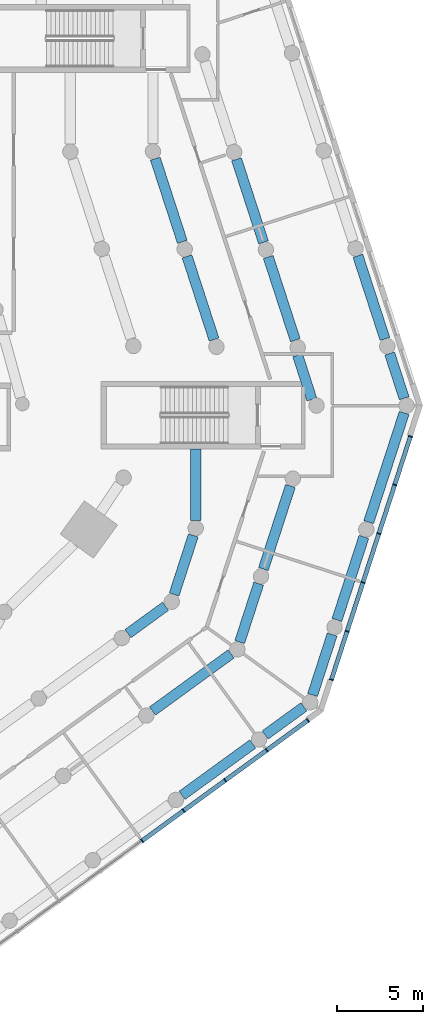
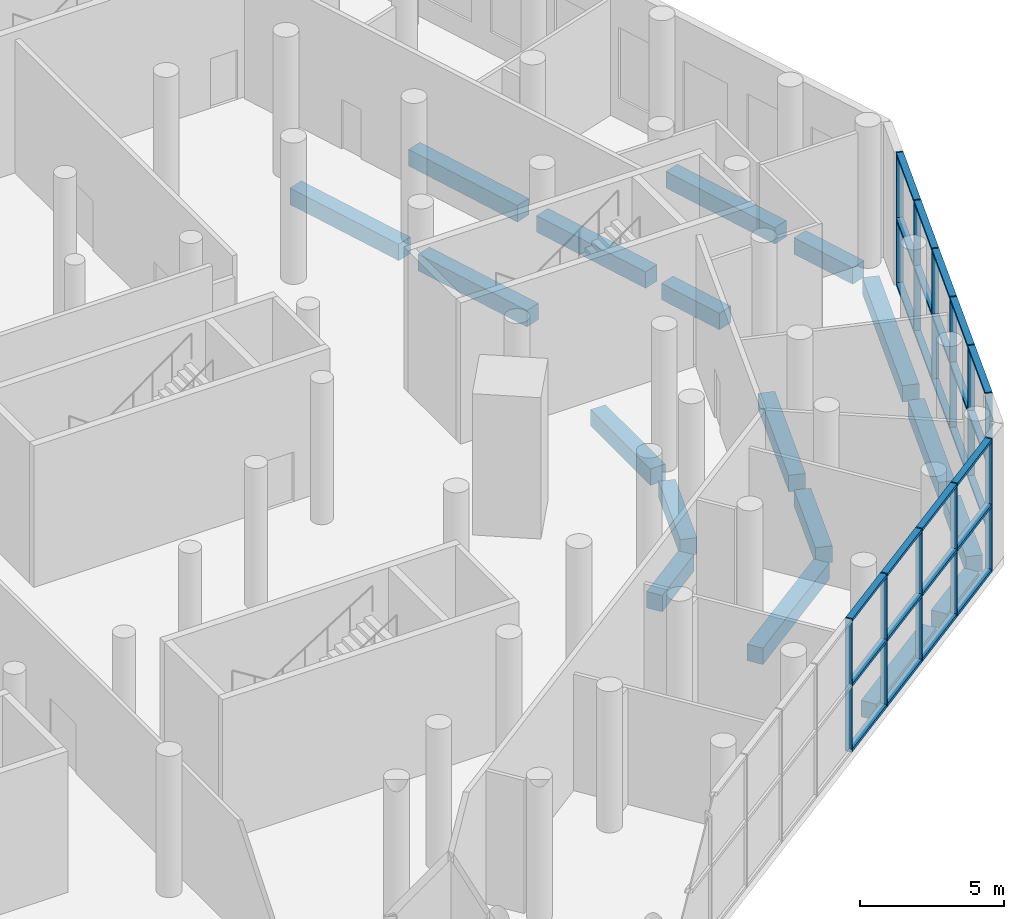
# One storey, part 8 of 23: 38 members, 18 beams, 2 elements without a shape of their own.
"""IFC4 building model written with IfcOpenShell, lengths in metres."""

from ifc_helpers import new_model, si_unit, direction, frame, origin, origin_2d, place, context, subcontext, project, spatial, rectangle, extrude, material, material_profile, profile_set, type_object, element, aggregate, save


model = new_model("IFC4")

# Units and contexts
model_context = context("Model", 3, precision=1e-05, world=origin(), true_north=direction((0.0, 1.0)))
body_context = subcontext(model_context, "Body", "Model", "MODEL_VIEW")
ifc_project = project(units=[si_unit("LENGTHUNIT", "METRE"), si_unit("AREAUNIT", "SQUARE_METRE"), si_unit("VOLUMEUNIT", "CUBIC_METRE"), si_unit("PLANEANGLEUNIT", "RADIAN"), si_unit("MASSUNIT", "GRAM", prefix="KILO")], contexts=[model_context])

# Site, building, storey
site_placement = place(None, origin())
site = spatial("IfcSite", under=ifc_project, at=site_placement, CompositionType="ELEMENT")
building_placement = place(site_placement, origin())
building = spatial("IfcBuilding", under=site, at=building_placement, Name="White Candle Pilgrim Tower", CompositionType="ELEMENT")
storey_placement = place(building_placement, frame((0.0, 0.0, 9.0)))
storey = spatial("IfcBuildingStorey", under=building, at=storey_placement, Name="L01", CompositionType="ELEMENT", Elevation=9.0)

# Curtain wall, members
ifc_material_1 = material(Name="Aluminium and glass", Category="aluminium")
curtain_wall_type = type_object("IfcCurtainWallType", Name="Curtain wall CW1 hall glazing", PredefinedType="NOTDEFINED", material=ifc_material_1)
curtain_wall_1_placement = place(storey_placement, origin())
curtain_wall_1 = element("IfcCurtainWall", 1, at=curtain_wall_1_placement, inside=storey, type_object=curtain_wall_type, Name="Curtain wall CW1 L01 SE", PredefinedType="NOTDEFINED")
ifc_material_2 = material(Name="Aluminium", Category="aluminium")
ifc_material_profile_1 = material_profile(ifc_material_2, rectangle(XDim=0.25, YDim=0.06005859375, at=origin_2d()), Name="CW1 mullion 60x250")
ifc_profile_set_1 = profile_set([ifc_material_profile_1], Name="Aluminium")
member_type_1 = type_object("IfcMemberType", Name="CW1 mullion 60x250", PredefinedType="MULLION", material=ifc_profile_set_1)
member_1_placement = place(storey_placement, frame((94.689453125, 35.121826171875, 0.0), z_axis=(0.0, 0.0, 1.0), x_axis=(-0.587785256853, 0.809016991061, 0.0)))
member_1 = element("IfcMember", 2, at=member_1_placement, type_object=member_type_1, Name="CW1 mullion 7", PredefinedType="MULLION", context=body_context, shape_type="SweptSolid", body=[
    extrude(rectangle(XDim=0.25, YDim=0.06005859375, at=origin_2d()), origin(), (0.0, 0.0, 1.0), 5.64990234375),
])
member_2_placement = place(storey_placement, frame((97.116455078125, 36.88525390625, 0.0), z_axis=(0.0, 0.0, 1.0), x_axis=(-0.587785256853, 0.809016991061, 0.0)))
member_2 = element("IfcMember", 3, at=member_2_placement, type_object=member_type_1, Name="CW1 mullion 8", PredefinedType="MULLION", context=body_context, shape_type="SweptSolid", body=[
    extrude(rectangle(XDim=0.25, YDim=0.06005859375, at=origin_2d()), origin(), (0.0, 0.0, 1.0), 5.64990234375),
])
member_3_placement = place(storey_placement, frame((99.54345703125, 38.6484375, 0.0), z_axis=(0.0, 0.0, 1.0), x_axis=(-0.587785256853, 0.809016991061, 0.0)))
member_3 = element("IfcMember", 4, at=member_3_placement, type_object=member_type_1, Name="CW1 mullion 9", PredefinedType="MULLION", context=body_context, shape_type="SweptSolid", body=[
    extrude(rectangle(XDim=0.25, YDim=0.06005859375, at=origin_2d()), origin(), (0.0, 0.0, 1.0), 5.64990234375),
])
member_4_placement = place(storey_placement, frame((101.970458984375, 40.411865234375, 0.0), z_axis=(0.0, 0.0, 1.0), x_axis=(-0.587785256853, 0.809016991061, 0.0)))
member_4 = element("IfcMember", 5, at=member_4_placement, type_object=member_type_1, Name="CW1 mullion 10", PredefinedType="MULLION", context=body_context, shape_type="SweptSolid", body=[
    extrude(rectangle(XDim=0.25, YDim=0.06005859375, at=origin_2d()), origin(), (0.0, 0.0, 1.0), 5.64990234375),
])
member_5_placement = place(storey_placement, frame((104.373291015625, 42.15771484375, 0.0), z_axis=(0.0, 0.0, 1.0), x_axis=(-0.587785256853, 0.809016991061, 0.0)))
member_5 = element("IfcMember", 6, at=member_5_placement, type_object=member_type_1, Name="CW1 mullion 11", PredefinedType="MULLION", context=body_context, shape_type="SweptSolid", body=[
    extrude(rectangle(XDim=0.25, YDim=0.06005859375, at=origin_2d()), origin(), (0.0, 0.0, 1.0), 5.64990234375),
])

curtain_wall_2_placement = place(storey_placement, origin())
curtain_wall_2 = element("IfcCurtainWall", 7, at=curtain_wall_2_placement, inside=storey, type_object=curtain_wall_type, Name="Curtain wall CW1 L01 E chamfer", PredefinedType="NOTDEFINED")
member_6_placement = place(storey_placement, frame((105.7470703125, 44.530517578125, 0.0), z_axis=(0.0, 0.0, 1.0), x_axis=(-0.951056516306, 0.309016994342, 0.0)))
member_6 = element("IfcMember", 8, at=member_6_placement, type_object=member_type_1, Name="CW1 mullion 1", PredefinedType="MULLION", context=body_context, shape_type="SweptSolid", body=[
    extrude(rectangle(XDim=0.25, YDim=0.06005859375, at=origin_2d()), origin(), (0.0, 0.0, 1.0), 5.64990234375),
])
member_7_placement = place(storey_placement, frame((106.6650390625, 47.355224609375, 0.0), z_axis=(0.0, 0.0, 1.0), x_axis=(-0.951056516306, 0.309016994342, 0.0)))
member_7 = element("IfcMember", 9, at=member_7_placement, type_object=member_type_1, Name="CW1 mullion 2", PredefinedType="MULLION", context=body_context, shape_type="SweptSolid", body=[
    extrude(rectangle(XDim=0.25, YDim=0.06005859375, at=origin_2d()), origin(), (0.0, 0.0, 1.0), 5.64990234375),
])
member_8_placement = place(storey_placement, frame((107.592041015625, 50.20849609375, 0.0), z_axis=(0.0, 0.0, 1.0), x_axis=(-0.951056516306, 0.309016994342, 0.0)))
member_8 = element("IfcMember", 10, at=member_8_placement, type_object=member_type_1, Name="CW1 mullion 3", PredefinedType="MULLION", context=body_context, shape_type="SweptSolid", body=[
    extrude(rectangle(XDim=0.25, YDim=0.06005859375, at=origin_2d()), origin(), (0.0, 0.0, 1.0), 5.64990234375),
])
member_9_placement = place(storey_placement, frame((108.51904296875, 53.0615234375, 0.0), z_axis=(0.0, 0.0, 1.0), x_axis=(-0.951056516306, 0.309016994342, 0.0)))
member_9 = element("IfcMember", 11, at=member_9_placement, type_object=member_type_1, Name="CW1 mullion 4", PredefinedType="MULLION", context=body_context, shape_type="SweptSolid", body=[
    extrude(rectangle(XDim=0.25, YDim=0.06005859375, at=origin_2d()), origin(), (0.0, 0.0, 1.0), 5.64990234375),
])
member_10_placement = place(storey_placement, frame((109.446044921875, 55.914794921875, 0.0), z_axis=(0.0, 0.0, 1.0), x_axis=(-0.951056516306, 0.309016994342, 0.0)))
member_10 = element("IfcMember", 12, at=member_10_placement, type_object=member_type_1, Name="CW1 mullion 5", PredefinedType="MULLION", context=body_context, shape_type="SweptSolid", body=[
    extrude(rectangle(XDim=0.25, YDim=0.06005859375, at=origin_2d()), origin(), (0.0, 0.0, 1.0), 5.64990234375),
])
member_11_placement = place(storey_placement, frame((110.36376953125, 58.739501953125, 0.0), z_axis=(0.0, 0.0, 1.0), x_axis=(-0.951056516306, 0.309016994342, 0.0)))
member_11 = element("IfcMember", 13, at=member_11_placement, type_object=member_type_1, Name="CW1 mullion 6", PredefinedType="MULLION", context=body_context, shape_type="SweptSolid", body=[
    extrude(rectangle(XDim=0.25, YDim=0.06005859375, at=origin_2d()), origin(), (0.0, 0.0, 1.0), 5.64990234375),
])

# Member
ifc_material_profile_2 = material_profile(ifc_material_2, rectangle(XDim=0.25, YDim=0.1201171875, at=origin_2d()), Name="CW1 transom 120x250")
ifc_profile_set_2 = profile_set([ifc_material_profile_2], Name="Aluminium")
member_type_2 = type_object("IfcMemberType", Name="CW1 transom 120x250", PredefinedType="USERDEFINED", material=ifc_profile_set_2)
member_12_placement = place(storey_placement, frame((94.713623046875, 35.139404296875, 0.06005859375), z_axis=(0.809005300669, 0.587801346961, 0.0), x_axis=(-0.587801346961, 0.809005300669, 0.0)))
member_12 = element("IfcMember", 14, at=member_12_placement, type_object=member_type_2, Name="CW1 transom 7.1", ObjectType="TRANSOM", PredefinedType="USERDEFINED", context=body_context, shape_type="SweptSolid", body=[
    extrude(rectangle(XDim=0.25, YDim=0.1201171875, at=origin_2d()), origin(), (0.0, 0.0, 1.0), 2.940185546875),
])

member_13_placement = place(storey_placement, frame((94.713623046875, 35.139404296875, 2.824951171875), z_axis=(0.809005300669, 0.587801346961, 0.0), x_axis=(-0.587801346961, 0.809005300669, 0.0)))
member_13 = element("IfcMember", 15, at=member_13_placement, type_object=member_type_2, Name="CW1 transom 7.2", ObjectType="TRANSOM", PredefinedType="USERDEFINED", context=body_context, shape_type="SweptSolid", body=[
    extrude(rectangle(XDim=0.25, YDim=0.1201171875, at=origin_2d()), origin(), (0.0, 0.0, 1.0), 2.940185546875),
])

member_14_placement = place(storey_placement, frame((94.713623046875, 35.139404296875, 5.590087890625), z_axis=(0.809005300669, 0.587801346961, 0.0), x_axis=(-0.587801346961, 0.809005300669, 0.0)))
member_14 = element("IfcMember", 16, at=member_14_placement, type_object=member_type_2, Name="CW1 transom 7.3", ObjectType="TRANSOM", PredefinedType="USERDEFINED", context=body_context, shape_type="SweptSolid", body=[
    extrude(rectangle(XDim=0.25, YDim=0.1201171875, at=origin_2d()), origin(), (0.0, 0.0, 1.0), 2.940185546875),
])

member_15_placement = place(storey_placement, frame((97.140625, 36.90283203125, 0.06005859375), z_axis=(0.809044786541, 0.587746997756, 0.0), x_axis=(-0.587746997756, 0.809044786541, 0.0)))
member_15 = element("IfcMember", 17, at=member_15_placement, type_object=member_type_2, Name="CW1 transom 8.1", ObjectType="TRANSOM", PredefinedType="USERDEFINED", context=body_context, shape_type="SweptSolid", body=[
    extrude(rectangle(XDim=0.25, YDim=0.1201171875, at=origin_2d()), origin(), (0.0, 0.0, 1.0), 2.940185546875),
])

member_16_placement = place(storey_placement, frame((97.140625, 36.90283203125, 2.824951171875), z_axis=(0.809044786541, 0.587746997756, 0.0), x_axis=(-0.587746997756, 0.809044786541, 0.0)))
member_16 = element("IfcMember", 18, at=member_16_placement, type_object=member_type_2, Name="CW1 transom 8.2", ObjectType="TRANSOM", PredefinedType="USERDEFINED", context=body_context, shape_type="SweptSolid", body=[
    extrude(rectangle(XDim=0.25, YDim=0.1201171875, at=origin_2d()), origin(), (0.0, 0.0, 1.0), 2.940185546875),
])

member_17_placement = place(storey_placement, frame((97.140625, 36.90283203125, 5.590087890625), z_axis=(0.809044786541, 0.587746997756, 0.0), x_axis=(-0.587746997756, 0.809044786541, 0.0)))
member_17 = element("IfcMember", 19, at=member_17_placement, type_object=member_type_2, Name="CW1 transom 8.3", ObjectType="TRANSOM", PredefinedType="USERDEFINED", context=body_context, shape_type="SweptSolid", body=[
    extrude(rectangle(XDim=0.25, YDim=0.1201171875, at=origin_2d()), origin(), (0.0, 0.0, 1.0), 2.940185546875),
])

member_18_placement = place(storey_placement, frame((99.56787109375, 38.666259765625, 0.06005859375), z_axis=(0.809016098264, 0.587786485682, 0.0), x_axis=(-0.587786485682, 0.809016098264, 0.0)))
member_18 = element("IfcMember", 20, at=member_18_placement, type_object=member_type_2, Name="CW1 transom 9.1", ObjectType="TRANSOM", PredefinedType="USERDEFINED", context=body_context, shape_type="SweptSolid", body=[
    extrude(rectangle(XDim=0.25, YDim=0.1201171875, at=origin_2d()), origin(), (0.0, 0.0, 1.0), 2.93994140625),
])

member_19_placement = place(storey_placement, frame((99.56787109375, 38.666259765625, 2.824951171875), z_axis=(0.809016098264, 0.587786485682, 0.0), x_axis=(-0.587786485682, 0.809016098264, 0.0)))
member_19 = element("IfcMember", 21, at=member_19_placement, type_object=member_type_2, Name="CW1 transom 9.2", ObjectType="TRANSOM", PredefinedType="USERDEFINED", context=body_context, shape_type="SweptSolid", body=[
    extrude(rectangle(XDim=0.25, YDim=0.1201171875, at=origin_2d()), origin(), (0.0, 0.0, 1.0), 2.93994140625),
])

member_20_placement = place(storey_placement, frame((99.56787109375, 38.666259765625, 5.590087890625), z_axis=(0.809016098264, 0.587786485682, 0.0), x_axis=(-0.587786485682, 0.809016098264, 0.0)))
member_20 = element("IfcMember", 22, at=member_20_placement, type_object=member_type_2, Name="CW1 transom 9.3", ObjectType="TRANSOM", PredefinedType="USERDEFINED", context=body_context, shape_type="SweptSolid", body=[
    extrude(rectangle(XDim=0.25, YDim=0.1201171875, at=origin_2d()), origin(), (0.0, 0.0, 1.0), 2.93994140625),
])

member_21_placement = place(storey_placement, frame((101.994873046875, 40.429443359375, 0.06005859375), z_axis=(0.809018973085, 0.587782528822, 0.0), x_axis=(-0.587782528822, 0.809018973085, 0.0)))
member_21 = element("IfcMember", 23, at=member_21_placement, type_object=member_type_2, Name="CW1 transom 10.1", ObjectType="TRANSOM", PredefinedType="USERDEFINED", context=body_context, shape_type="SweptSolid", body=[
    extrude(rectangle(XDim=0.25, YDim=0.1201171875, at=origin_2d()), origin(), (0.0, 0.0, 1.0), 2.909912109375),
])

member_22_placement = place(storey_placement, frame((101.994873046875, 40.429443359375, 2.824951171875), z_axis=(0.809018973085, 0.587782528822, 0.0), x_axis=(-0.587782528822, 0.809018973085, 0.0)))
member_22 = element("IfcMember", 24, at=member_22_placement, type_object=member_type_2, Name="CW1 transom 10.2", ObjectType="TRANSOM", PredefinedType="USERDEFINED", context=body_context, shape_type="SweptSolid", body=[
    extrude(rectangle(XDim=0.25, YDim=0.1201171875, at=origin_2d()), origin(), (0.0, 0.0, 1.0), 2.909912109375),
])

member_23_placement = place(storey_placement, frame((101.994873046875, 40.429443359375, 5.590087890625), z_axis=(0.809018973085, 0.587782528822, 0.0), x_axis=(-0.587782528822, 0.809018973085, 0.0)))
member_23 = element("IfcMember", 25, at=member_23_placement, type_object=member_type_2, Name="CW1 transom 10.3", ObjectType="TRANSOM", PredefinedType="USERDEFINED", context=body_context, shape_type="SweptSolid", body=[
    extrude(rectangle(XDim=0.25, YDim=0.1201171875, at=origin_2d()), origin(), (0.0, 0.0, 1.0), 2.909912109375),
])

aggregate(curtain_wall_1, [member_1, member_2, member_3, member_4, member_5, member_12, member_13, member_14, member_15, member_16, member_17, member_18, member_19, member_20, member_21, member_22, member_23])

member_24_placement = place(storey_placement, frame((105.75634765625, 44.55908203125, 0.06005859375), z_axis=(0.309070896182, 0.951039000848, 0.0), x_axis=(-0.951039000848, 0.309070896182, 0.0)))
member_24 = element("IfcMember", 26, at=member_24_placement, type_object=member_type_2, Name="CW1 transom 1.1", ObjectType="TRANSOM", PredefinedType="USERDEFINED", context=body_context, shape_type="SweptSolid", body=[
    extrude(rectangle(XDim=0.25, YDim=0.1201171875, at=origin_2d()), origin(), (0.0, 0.0, 1.0), 2.91015625),
])

member_25_placement = place(storey_placement, frame((105.75634765625, 44.55908203125, 2.824951171875), z_axis=(0.309070896182, 0.951039000848, 0.0), x_axis=(-0.951039000848, 0.309070896182, 0.0)))
member_25 = element("IfcMember", 27, at=member_25_placement, type_object=member_type_2, Name="CW1 transom 1.2", ObjectType="TRANSOM", PredefinedType="USERDEFINED", context=body_context, shape_type="SweptSolid", body=[
    extrude(rectangle(XDim=0.25, YDim=0.1201171875, at=origin_2d()), origin(), (0.0, 0.0, 1.0), 2.91015625),
])

member_26_placement = place(storey_placement, frame((105.75634765625, 44.55908203125, 5.590087890625), z_axis=(0.309070896182, 0.951039000848, 0.0), x_axis=(-0.951039000848, 0.309070896182, 0.0)))
member_26 = element("IfcMember", 28, at=member_26_placement, type_object=member_type_2, Name="CW1 transom 1.3", ObjectType="TRANSOM", PredefinedType="USERDEFINED", context=body_context, shape_type="SweptSolid", body=[
    extrude(rectangle(XDim=0.25, YDim=0.1201171875, at=origin_2d()), origin(), (0.0, 0.0, 1.0), 2.91015625),
])

member_27_placement = place(storey_placement, frame((106.674072265625, 47.3837890625, 0.06005859375), z_axis=(0.309069173562, 0.951039560667, 0.0), x_axis=(-0.951039560667, 0.309069173562, 0.0)))
member_27 = element("IfcMember", 29, at=member_27_placement, type_object=member_type_2, Name="CW1 transom 2.1", ObjectType="TRANSOM", PredefinedType="USERDEFINED", context=body_context, shape_type="SweptSolid", body=[
    extrude(rectangle(XDim=0.25, YDim=0.1201171875, at=origin_2d()), origin(), (0.0, 0.0, 1.0), 2.940185546875),
])

member_28_placement = place(storey_placement, frame((106.674072265625, 47.3837890625, 2.824951171875), z_axis=(0.309069173562, 0.951039560667, 0.0), x_axis=(-0.951039560667, 0.309069173562, 0.0)))
member_28 = element("IfcMember", 30, at=member_28_placement, type_object=member_type_2, Name="CW1 transom 2.2", ObjectType="TRANSOM", PredefinedType="USERDEFINED", context=body_context, shape_type="SweptSolid", body=[
    extrude(rectangle(XDim=0.25, YDim=0.1201171875, at=origin_2d()), origin(), (0.0, 0.0, 1.0), 2.940185546875),
])

member_29_placement = place(storey_placement, frame((106.674072265625, 47.3837890625, 5.590087890625), z_axis=(0.309069173562, 0.951039560667, 0.0), x_axis=(-0.951039560667, 0.309069173562, 0.0)))
member_29 = element("IfcMember", 31, at=member_29_placement, type_object=member_type_2, Name="CW1 transom 2.3", ObjectType="TRANSOM", PredefinedType="USERDEFINED", context=body_context, shape_type="SweptSolid", body=[
    extrude(rectangle(XDim=0.25, YDim=0.1201171875, at=origin_2d()), origin(), (0.0, 0.0, 1.0), 2.940185546875),
])

member_30_placement = place(storey_placement, frame((107.601318359375, 50.237060546875, 0.06005859375), z_axis=(0.309018469575, 0.951056036972, 0.0), x_axis=(-0.951056036972, 0.309018469575, 0.0)))
member_30 = element("IfcMember", 32, at=member_30_placement, type_object=member_type_2, Name="CW1 transom 3.1", ObjectType="TRANSOM", PredefinedType="USERDEFINED", context=body_context, shape_type="SweptSolid", body=[
    extrude(rectangle(XDim=0.25, YDim=0.1201171875, at=origin_2d()), origin(), (0.0, 0.0, 1.0), 2.939697265625),
])

member_31_placement = place(storey_placement, frame((107.601318359375, 50.237060546875, 2.824951171875), z_axis=(0.309018469575, 0.951056036972, 0.0), x_axis=(-0.951056036972, 0.309018469575, 0.0)))
member_31 = element("IfcMember", 33, at=member_31_placement, type_object=member_type_2, Name="CW1 transom 3.2", ObjectType="TRANSOM", PredefinedType="USERDEFINED", context=body_context, shape_type="SweptSolid", body=[
    extrude(rectangle(XDim=0.25, YDim=0.1201171875, at=origin_2d()), origin(), (0.0, 0.0, 1.0), 2.939697265625),
])

member_32_placement = place(storey_placement, frame((107.601318359375, 50.237060546875, 5.590087890625), z_axis=(0.309018469575, 0.951056036972, 0.0), x_axis=(-0.951056036972, 0.309018469575, 0.0)))
member_32 = element("IfcMember", 34, at=member_32_placement, type_object=member_type_2, Name="CW1 transom 3.3", ObjectType="TRANSOM", PredefinedType="USERDEFINED", context=body_context, shape_type="SweptSolid", body=[
    extrude(rectangle(XDim=0.25, YDim=0.1201171875, at=origin_2d()), origin(), (0.0, 0.0, 1.0), 2.939697265625),
])

member_33_placement = place(storey_placement, frame((108.5283203125, 53.090087890625, 0.06005859375), z_axis=(0.30899406435, 0.951063966406, 0.0), x_axis=(-0.951063966406, 0.30899406435, 0.0)))
member_33 = element("IfcMember", 35, at=member_33_placement, type_object=member_type_2, Name="CW1 transom 4.1", ObjectType="TRANSOM", PredefinedType="USERDEFINED", context=body_context, shape_type="SweptSolid", body=[
    extrude(rectangle(XDim=0.25, YDim=0.1201171875, at=origin_2d()), origin(), (0.0, 0.0, 1.0), 2.93994140625),
])

member_34_placement = place(storey_placement, frame((108.5283203125, 53.090087890625, 2.824951171875), z_axis=(0.30899406435, 0.951063966406, 0.0), x_axis=(-0.951063966406, 0.30899406435, 0.0)))
member_34 = element("IfcMember", 36, at=member_34_placement, type_object=member_type_2, Name="CW1 transom 4.2", ObjectType="TRANSOM", PredefinedType="USERDEFINED", context=body_context, shape_type="SweptSolid", body=[
    extrude(rectangle(XDim=0.25, YDim=0.1201171875, at=origin_2d()), origin(), (0.0, 0.0, 1.0), 2.93994140625),
])

member_35_placement = place(storey_placement, frame((108.5283203125, 53.090087890625, 5.590087890625), z_axis=(0.30899406435, 0.951063966406, 0.0), x_axis=(-0.951063966406, 0.30899406435, 0.0)))
member_35 = element("IfcMember", 37, at=member_35_placement, type_object=member_type_2, Name="CW1 transom 4.3", ObjectType="TRANSOM", PredefinedType="USERDEFINED", context=body_context, shape_type="SweptSolid", body=[
    extrude(rectangle(XDim=0.25, YDim=0.1201171875, at=origin_2d()), origin(), (0.0, 0.0, 1.0), 2.93994140625),
])

member_36_placement = place(storey_placement, frame((109.455322265625, 55.943359375, 0.06005859375), z_axis=(0.308995011864, 0.951063658565, 0.0), x_axis=(-0.951063658565, 0.308995011864, 0.0)))
member_36 = element("IfcMember", 38, at=member_36_placement, type_object=member_type_2, Name="CW1 transom 5.1", ObjectType="TRANSOM", PredefinedType="USERDEFINED", context=body_context, shape_type="SweptSolid", body=[
    extrude(rectangle(XDim=0.25, YDim=0.1201171875, at=origin_2d()), origin(), (0.0, 0.0, 1.0), 2.909912109375),
])

member_37_placement = place(storey_placement, frame((109.455322265625, 55.943359375, 2.824951171875), z_axis=(0.308995011864, 0.951063658565, 0.0), x_axis=(-0.951063658565, 0.308995011864, 0.0)))
member_37 = element("IfcMember", 39, at=member_37_placement, type_object=member_type_2, Name="CW1 transom 5.2", ObjectType="TRANSOM", PredefinedType="USERDEFINED", context=body_context, shape_type="SweptSolid", body=[
    extrude(rectangle(XDim=0.25, YDim=0.1201171875, at=origin_2d()), origin(), (0.0, 0.0, 1.0), 2.909912109375),
])

member_38_placement = place(storey_placement, frame((109.455322265625, 55.943359375, 5.590087890625), z_axis=(0.308995011864, 0.951063658565, 0.0), x_axis=(-0.951063658565, 0.308995011864, 0.0)))
member_38 = element("IfcMember", 40, at=member_38_placement, type_object=member_type_2, Name="CW1 transom 5.3", ObjectType="TRANSOM", PredefinedType="USERDEFINED", context=body_context, shape_type="SweptSolid", body=[
    extrude(rectangle(XDim=0.25, YDim=0.1201171875, at=origin_2d()), origin(), (0.0, 0.0, 1.0), 2.909912109375),
])

aggregate(curtain_wall_2, [member_6, member_7, member_8, member_9, member_10, member_11, member_24, member_25, member_26, member_27, member_28, member_29, member_30, member_31, member_32, member_33, member_34, member_35, member_36, member_37, member_38])

# Beams
ifc_material_3 = material(Name="Concrete C50/60", Category="concrete")
ifc_material_profile_3 = material_profile(ifc_material_3, rectangle(XDim=0.60009765625, YDim=0.699951171875, at=origin_2d()), Name="RC-BM 600x700")
ifc_profile_set_3 = profile_set([ifc_material_profile_3], Name="Concrete C50/60")
beam_type = type_object("IfcBeamType", Name="Spandrel beam RC-BM 600x700 C50/60", PredefinedType="BEAM", material=ifc_profile_set_3)
beam_1_placement = place(storey_placement, frame((97.02490234375, 37.7763671875, -0.699951171875), z_axis=(0.808978190317, 0.587838657789, 0.0), x_axis=(-0.587838657789, 0.808978190317, 0.0)))
element("IfcBeam", 41, at=beam_1_placement, inside=storey, type_object=beam_type, Name="L01 spandrel beam A17", PredefinedType="BEAM", context=body_context, shape_type="SweptSolid", body=[
    extrude(rectangle(XDim=0.60009765625, YDim=0.699951171875, at=origin_2d()), origin(), (0.0, 0.0, 1.0), 5.1005859375),
])
beam_2_placement = place(storey_placement, frame((101.87890625, 41.303466796875, -0.699951171875), z_axis=(0.809030737429, 0.587766336136, 0.0), x_axis=(-0.587766336136, 0.809030737429, 0.0)))
element("IfcBeam", 42, at=beam_2_placement, inside=storey, type_object=beam_type, Name="L01 spandrel beam A18", PredefinedType="BEAM", context=body_context, shape_type="SweptSolid", body=[
    extrude(rectangle(XDim=0.60009765625, YDim=0.699951171875, at=origin_2d()), origin(), (0.0, 0.0, 1.0), 2.793701171875),
])
beam_3_placement = place(storey_placement, frame((104.64208984375, 43.6376953125, -0.699951171875), z_axis=(0.309054834835, 0.951044220352, 0.0), x_axis=(-0.951044220352, 0.309054834835, 0.0)))
element("IfcBeam", 43, at=beam_3_placement, inside=storey, type_object=beam_type, Name="L01 spandrel beam A19", PredefinedType="BEAM", context=body_context, shape_type="SweptSolid", body=[
    extrude(rectangle(XDim=0.60009765625, YDim=0.699951171875, at=origin_2d()), origin(), (0.0, 0.0, 1.0), 3.711181640625),
])
beam_4_placement = place(storey_placement, frame((106.06689453125, 48.022705078125, -0.699951171875), z_axis=(0.309038447078, 0.951049545622, 0.0), x_axis=(-0.951049545622, 0.309038447078, 0.0)))
element("IfcBeam", 44, at=beam_4_placement, inside=storey, type_object=beam_type, Name="L01 spandrel beam A20", PredefinedType="BEAM", context=body_context, shape_type="SweptSolid", body=[
    extrude(rectangle(XDim=0.60009765625, YDim=0.699951171875, at=origin_2d()), origin(), (0.0, 0.0, 1.0), 5.100341796875),
])
beam_5_placement = place(storey_placement, frame((107.9208984375, 53.728759765625, -0.699951171875), z_axis=(0.309081136717, 0.951035672793, 0.0), x_axis=(-0.951035672793, 0.309081136717, 0.0)))
element("IfcBeam", 45, at=beam_5_placement, inside=storey, type_object=beam_type, Name="L01 spandrel beam A21", PredefinedType="BEAM", context=body_context, shape_type="SweptSolid", body=[
    extrude(rectangle(XDim=0.60009765625, YDim=0.699951171875, at=origin_2d()), origin(), (0.0, 0.0, 1.0), 6.7109375),
])
beam_6_placement = place(storey_placement, frame((109.9951171875, 60.966796875, -0.699951171875), z_axis=(-0.309013664112, 0.951057598357, 0.0), x_axis=(-0.951057598357, -0.309013664112, 0.0)))
element("IfcBeam", 46, at=beam_6_placement, inside=storey, type_object=beam_type, Name="L01 spandrel beam A22", PredefinedType="BEAM", context=body_context, shape_type="SweptSolid", body=[
    extrude(rectangle(XDim=0.60009765625, YDim=0.699951171875, at=origin_2d()), origin(), (0.0, 0.0, 1.0), 2.74462890625),
])
beam_7_placement = place(storey_placement, frame((108.868896484375, 64.432861328125, -0.699951171875), z_axis=(-0.309126113006, 0.951021054582, 0.0), x_axis=(-0.951021054582, -0.309126113006, 0.0)))
element("IfcBeam", 47, at=beam_7_placement, inside=storey, type_object=beam_type, Name="L01 spandrel beam A23", PredefinedType="BEAM", context=body_context, shape_type="SweptSolid", body=[
    extrude(rectangle(XDim=0.60009765625, YDim=0.699951171875, at=origin_2d()), origin(), (0.0, 0.0, 1.0), 5.10107421875),
])
beam_8_placement = place(storey_placement, frame((95.2998046875, 42.703369140625, -0.699951171875), z_axis=(0.808998591139, 0.587810581339, 0.0), x_axis=(-0.587810581339, 0.808998591139, 0.0)))
element("IfcBeam", 48, at=beam_8_placement, inside=storey, type_object=beam_type, Name="L01 spandrel beam B15", PredefinedType="BEAM", context=body_context, shape_type="SweptSolid", body=[
    extrude(rectangle(XDim=0.60009765625, YDim=0.699951171875, at=origin_2d()), origin(), (0.0, 0.0, 1.0), 5.6689453125),
])
beam_9_placement = place(storey_placement, frame((100.388916015625, 46.727783203125, -0.699951171875), z_axis=(0.309029111375, 0.951052579158, 0.0), x_axis=(-0.951052579158, 0.309029111375, 0.0)))
element("IfcBeam", 49, at=beam_9_placement, inside=storey, type_object=beam_type, Name="L01 spandrel beam B16", PredefinedType="BEAM", context=body_context, shape_type="SweptSolid", body=[
    extrude(rectangle(XDim=0.60009765625, YDim=0.699951171875, at=origin_2d()), origin(), (0.0, 0.0, 1.0), 3.5859375),
])
beam_10_placement = place(storey_placement, frame((101.77490234375, 50.993896484375, -0.699951171875), z_axis=(0.308996245399, 0.951063257796, 0.0), x_axis=(-0.951063257796, 0.308996245399, 0.0)))
element("IfcBeam", 50, at=beam_10_placement, inside=storey, type_object=beam_type, Name="L01 spandrel beam B17", PredefinedType="BEAM", context=body_context, shape_type="SweptSolid", body=[
    extrude(rectangle(XDim=0.60009765625, YDim=0.699951171875, at=origin_2d()), origin(), (0.0, 0.0, 1.0), 5.100830078125),
])
beam_11_placement = place(storey_placement, frame((103.77392578125, 63.48291015625, -0.699951171875), z_axis=(0.304880087656, -0.952390745519, 0.0), x_axis=(0.952390745519, 0.304880087656, 0.0)))
element("IfcBeam", 51, at=beam_11_placement, inside=storey, type_object=beam_type, Name="L01 spandrel beam B18", PredefinedType="BEAM", context=body_context, shape_type="SweptSolid", body=[
    extrude(rectangle(XDim=0.60009765625, YDim=0.699951171875, at=origin_2d()), origin(), (0.0, 0.0, 1.0), 2.71630859375),
])
beam_12_placement = place(storey_placement, frame((103.635009765625, 64.36083984375, -0.699951171875), z_axis=(-0.309126113006, 0.951021054582, 0.0), x_axis=(-0.951021054582, -0.309126113006, 0.0)))
element("IfcBeam", 52, at=beam_12_placement, inside=storey, type_object=beam_type, Name="L01 spandrel beam B19", PredefinedType="BEAM", context=body_context, shape_type="SweptSolid", body=[
    extrude(rectangle(XDim=0.60009765625, YDim=0.699951171875, at=origin_2d()), origin(), (0.0, 0.0, 1.0), 5.10107421875),
])
beam_13_placement = place(storey_placement, frame((101.780029296875, 70.06787109375, -0.699951171875), z_axis=(-0.309009217467, 0.951059043131, 0.0), x_axis=(-0.951059043131, -0.309009217467, 0.0)))
element("IfcBeam", 53, at=beam_13_placement, inside=storey, type_object=beam_type, Name="L01 spandrel beam B20", PredefinedType="BEAM", context=body_context, shape_type="SweptSolid", body=[
    extrude(rectangle(XDim=0.60009765625, YDim=0.699951171875, at=origin_2d()), origin(), (0.0, 0.0, 1.0), 5.099853515625),
])
beam_14_placement = place(storey_placement, frame((93.867919921875, 47.225341796875, -0.699951171875), z_axis=(0.809008975915, 0.587796288598, 0.0), x_axis=(-0.587796288598, 0.809008975915, 0.0)))
element("IfcBeam", 54, at=beam_14_placement, inside=storey, type_object=beam_type, Name="L01 spandrel beam C13", PredefinedType="BEAM", context=body_context, shape_type="SweptSolid", body=[
    extrude(rectangle(XDim=0.60009765625, YDim=0.699951171875, at=origin_2d()), origin(), (0.0, 0.0, 1.0), 2.707275390625),
])
beam_15_placement = place(storey_placement, frame((96.56103515625, 49.5087890625, -0.699951171875), z_axis=(0.308944435163, 0.951080089152, 0.0), x_axis=(-0.951080089152, 0.308944435163, 0.0)))
element("IfcBeam", 55, at=beam_15_placement, inside=storey, type_object=beam_type, Name="L01 spandrel beam C14", PredefinedType="BEAM", context=body_context, shape_type="SweptSolid", body=[
    extrude(rectangle(XDim=0.60009765625, YDim=0.699951171875, at=origin_2d()), origin(), (0.0, 0.0, 1.0), 3.624755859375),
])
beam_16_placement = place(storey_placement, frame((97.820068359375, 53.833984375, -0.699951171875), z_axis=(0.0, 1.0, 0.0), x_axis=(-1.0, 0.0, 0.0)))
element("IfcBeam", 56, at=beam_16_placement, inside=storey, type_object=beam_type, Name="L01 spandrel beam C15", PredefinedType="BEAM", context=body_context, shape_type="SweptSolid", body=[
    extrude(rectangle(XDim=0.60009765625, YDim=0.699951171875, at=origin_2d()), origin(), (0.0, 0.0, 1.0), 4.166015625),
])
beam_17_placement = place(storey_placement, frame((98.89111328125, 64.396728515625, -0.699951171875), z_axis=(-0.308982180599, 0.951067827272, 0.0), x_axis=(-0.951067827272, -0.308982180599, 0.0)))
element("IfcBeam", 57, at=beam_17_placement, inside=storey, type_object=beam_type, Name="L01 spandrel beam C16", PredefinedType="BEAM", context=body_context, shape_type="SweptSolid", body=[
    extrude(rectangle(XDim=0.60009765625, YDim=0.699951171875, at=origin_2d()), origin(), (0.0, 0.0, 1.0), 5.10107421875),
])
beam_18_placement = place(storey_placement, frame((97.037109375, 70.103759765625, -0.699951171875), z_axis=(-0.30905251673, 0.951044973649, 0.0), x_axis=(-0.951044973649, -0.30905251673, 0.0)))
element("IfcBeam", 58, at=beam_18_placement, inside=storey, type_object=beam_type, Name="L01 spandrel beam C17", PredefinedType="BEAM", context=body_context, shape_type="SweptSolid", body=[
    extrude(rectangle(XDim=0.60009765625, YDim=0.699951171875, at=origin_2d()), origin(), (0.0, 0.0, 1.0), 5.10009765625),
])

save(model, "model.ifc")
